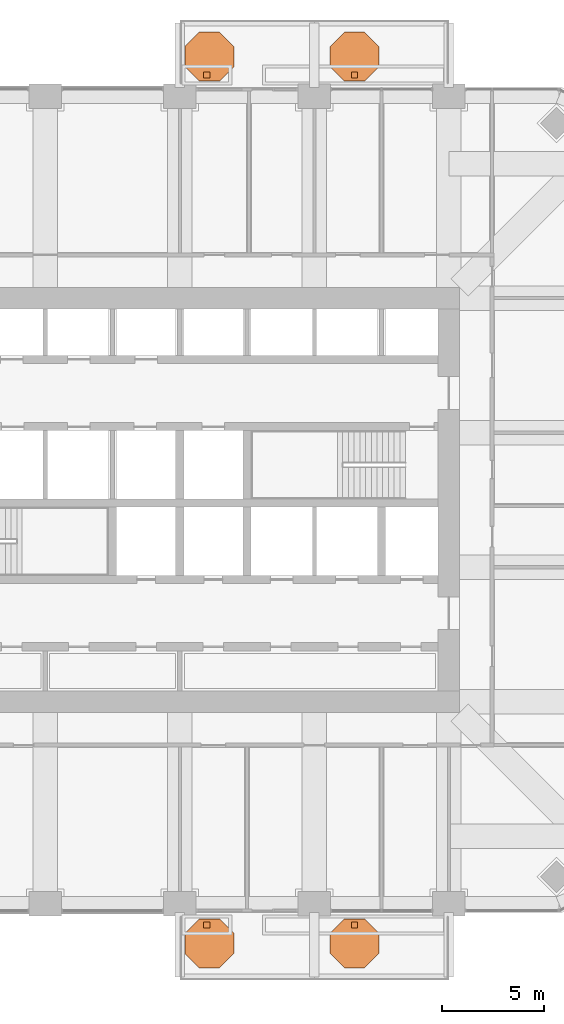
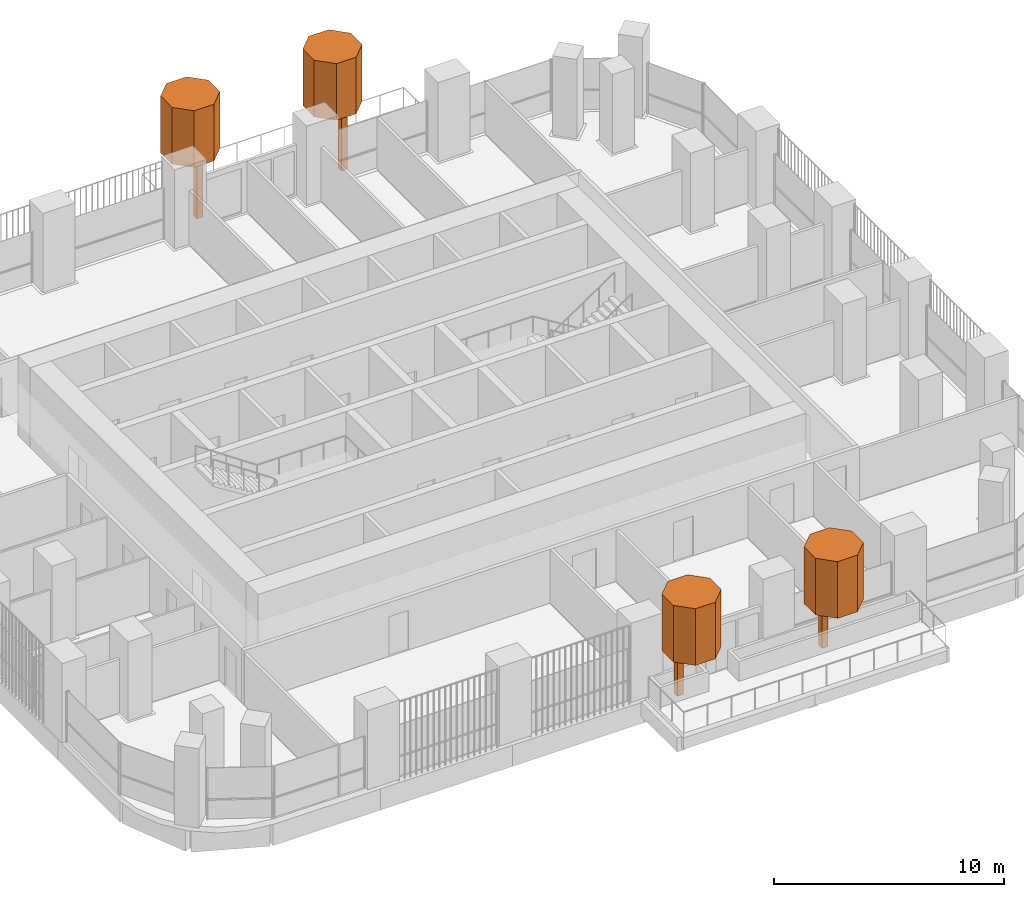
# One storey, part 19 of 19: 8 geographic elements.
"""IFC4 building model written with IfcOpenShell, lengths in metres."""

from ifc_helpers import new_model, si_unit, direction, frame, origin, origin_2d, place, context, subcontext, project, spatial, polyline, rectangle, outline, extrude, material, type_object, element, save


model = new_model("IFC4")

# Units and contexts
model_context = context("Model", 3, precision=1e-05, world=origin(), true_north=direction((0.0, 1.0)))
body_context = subcontext(model_context, "Body", "Model", "MODEL_VIEW")
ifc_project = project(units=[si_unit("LENGTHUNIT", "METRE"), si_unit("AREAUNIT", "SQUARE_METRE"), si_unit("VOLUMEUNIT", "CUBIC_METRE"), si_unit("PLANEANGLEUNIT", "RADIAN"), si_unit("MASSUNIT", "GRAM", prefix="KILO")], contexts=[model_context])

# Site, building, storey
site_placement = place(None, origin())
site = spatial("IfcSite", under=ifc_project, at=site_placement, CompositionType="ELEMENT")
building_placement = place(site_placement, origin())
building = spatial("IfcBuilding", under=site, at=building_placement, Name="Cobogo Forest Laboratory Tower", CompositionType="ELEMENT")
storey_placement = place(building_placement, frame((0.0, 0.0, 172.5)))
storey = spatial("IfcBuildingStorey", under=building, at=storey_placement, Name="L39", CompositionType="ELEMENT", Elevation=172.5)

# Geographic elements
ifc_material = material(Name="Planting", Category="plant")
geographic_element_type_1 = type_object("IfcGeographicElementType", Name="Tree trunk 300", PredefinedType="USERDEFINED", material=ifc_material)
for number, where, z_axis, x_axis, name in (
    (1, (27.72509765625, 2.25, 0.0), (0.0, 0.0, 1.0), (1.0, 0.0, 0.0), "Tree trunk BAL-S1-PL1 L39"),
    (2, (34.97509765625, 2.25, 0.0), (0.0, 0.0, 1.0), (1.0, 0.0, 0.0), "Tree trunk BAL-S1-PL2 L39"),
    (3, (27.72509765625, 43.949951171875, 0.0), (0.0, 0.0, 1.0), (1.0, 0.0, 0.0), "Tree trunk BAL-N1-PL1 L39"),
    (4, (34.97509765625, 43.949951171875, 0.0), (0.0, 0.0, 1.0), (1.0, 0.0, 0.0), "Tree trunk BAL-N1-PL2 L39"),
):
    element("IfcGeographicElement", number, at=place(storey_placement, frame(where, z_axis=z_axis, x_axis=x_axis)), inside=storey, type_object=geographic_element_type_1, Name=name, ObjectType="TREE TRUNK", PredefinedType="USERDEFINED", context=body_context, shape_type="SweptSolid", body=[
        extrude(rectangle(XDim=0.300048828125, YDim=0.300048828125, at=origin_2d()), origin(), (0.0, 0.0, 1.0), 2.89990234375),
    ])
geographic_element_type_2 = type_object("IfcGeographicElementType", Name="Tree, holm oak 5 m", PredefinedType="USERDEFINED", material=ifc_material)
geographic_element_1_placement = place(storey_placement, frame((0.0, 0.0, 2.89990234375)))
element("IfcGeographicElement", 5, at=geographic_element_1_placement, inside=storey, type_object=geographic_element_type_2, Name="Holm tree BAL-S1-PL1 L39", ObjectType="TREE", PredefinedType="USERDEFINED", context=body_context, shape_type="SweptSolid", body=[
    extrude(outline(polyline([(29.050048828125, 0.85302734375), (29.050048828125, 1.84716796875), (28.34716796875, 2.550048828125), (27.35302734375, 2.550048828125), (26.64990234375, 1.84716796875), (26.64990234375, 0.85302734375), (27.35302734375, 0.14990234375), (28.34716796875, 0.14990234375), (29.050048828125, 0.85302734375)])), origin(), (0.0, 0.0, 1.0), 3.0),
])
geographic_element_2_placement = place(storey_placement, frame((0.0, 0.0, 2.89990234375)))
element("IfcGeographicElement", 6, at=geographic_element_2_placement, inside=storey, type_object=geographic_element_type_2, Name="Holm tree BAL-S1-PL2 L39", ObjectType="TREE", PredefinedType="USERDEFINED", context=body_context, shape_type="SweptSolid", body=[
    extrude(outline(polyline([(36.175048828125, 0.85302734375), (36.175048828125, 1.84716796875), (35.47216796875, 2.550048828125), (34.47802734375, 2.550048828125), (33.77490234375, 1.84716796875), (33.77490234375, 0.85302734375), (34.47802734375, 0.14990234375), (35.47216796875, 0.14990234375), (36.175048828125, 0.85302734375)])), origin(), (0.0, 0.0, 1.0), 3.0),
])
geographic_element_3_placement = place(storey_placement, frame((0.0, 0.0, 2.89990234375)))
element("IfcGeographicElement", 7, at=geographic_element_3_placement, inside=storey, type_object=geographic_element_type_2, Name="Holm tree BAL-N1-PL1 L39", ObjectType="TREE", PredefinedType="USERDEFINED", context=body_context, shape_type="SweptSolid", body=[
    extrude(outline(polyline([(29.050048828125, 44.35302734375), (29.050048828125, 45.34716796875), (28.34716796875, 46.050048828125), (27.35302734375, 46.050048828125), (26.64990234375, 45.34716796875), (26.64990234375, 44.35302734375), (27.35302734375, 43.64990234375), (28.34716796875, 43.64990234375), (29.050048828125, 44.35302734375)])), origin(), (0.0, 0.0, 1.0), 3.0),
])
geographic_element_4_placement = place(storey_placement, frame((0.0, 0.0, 2.89990234375)))
element("IfcGeographicElement", 8, at=geographic_element_4_placement, inside=storey, type_object=geographic_element_type_2, Name="Holm tree BAL-N1-PL2 L39", ObjectType="TREE", PredefinedType="USERDEFINED", context=body_context, shape_type="SweptSolid", body=[
    extrude(outline(polyline([(36.175048828125, 44.35302734375), (36.175048828125, 45.34716796875), (35.47216796875, 46.050048828125), (34.47802734375, 46.050048828125), (33.77490234375, 45.34716796875), (33.77490234375, 44.35302734375), (34.47802734375, 43.64990234375), (35.47216796875, 43.64990234375), (36.175048828125, 44.35302734375)])), origin(), (0.0, 0.0, 1.0), 3.0),
])

save(model, "model.ifc")
